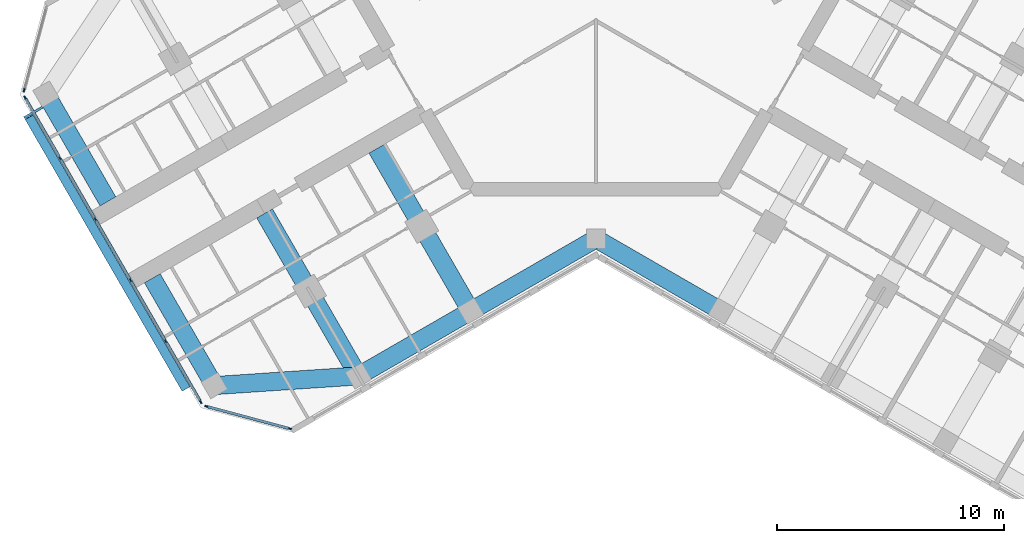
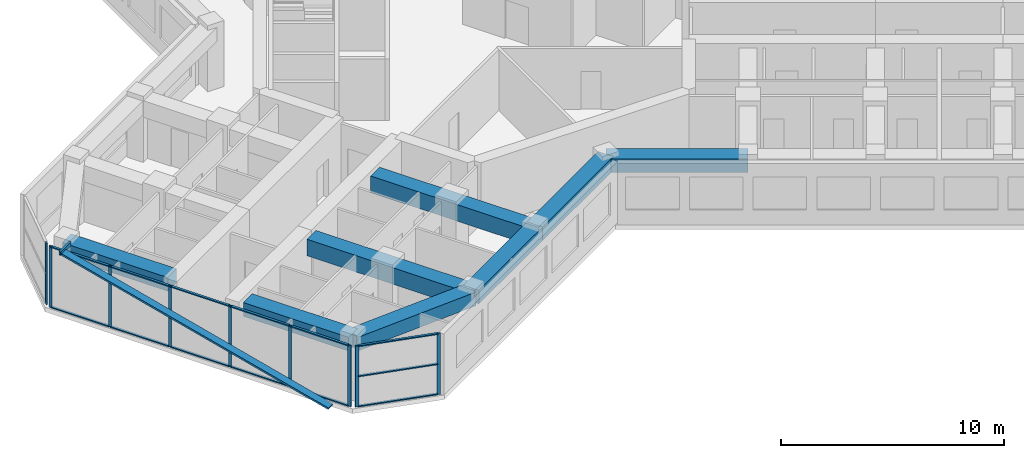
# One storey, part 2 of 16: 24 members, 8 beams, 3 elements without a shape of their own.
"""IFC4 building model written with IfcOpenShell, lengths in metres."""

from ifc_helpers import new_model, si_unit, direction, frame, origin, origin_2d, place, context, subcontext, project, spatial, rectangle, hollow_rectangle, extrude, material, material_profile, profile_set, type_object, element, aggregate, save


model = new_model("IFC4")

# Units and contexts
model_context = context("Model", 3, precision=1e-05, world=origin(), true_north=direction((0.0, 1.0)))
body_context = subcontext(model_context, "Body", "Model", "MODEL_VIEW")
ifc_project = project(units=[si_unit("LENGTHUNIT", "METRE"), si_unit("AREAUNIT", "SQUARE_METRE"), si_unit("VOLUMEUNIT", "CUBIC_METRE"), si_unit("PLANEANGLEUNIT", "RADIAN"), si_unit("MASSUNIT", "GRAM", prefix="KILO")], contexts=[model_context])

# Site, building, storey
site_placement = place(None, origin())
site = spatial("IfcSite", under=ifc_project, at=site_placement, CompositionType="ELEMENT")
building_placement = place(site_placement, origin())
building = spatial("IfcBuilding", under=site, at=building_placement, Name="Kosmar Iwan School Tower", CompositionType="ELEMENT")
storey_placement = place(building_placement, frame((0.0, 0.0, 235.199951171875)))
storey = spatial("IfcBuildingStorey", under=building, at=storey_placement, Name="L59", CompositionType="ELEMENT", Elevation=235.199951171875)

# Members
ifc_material_1 = material(Name="Black anodised aluminium", Category="aluminium")
ifc_material_profile_1 = material_profile(ifc_material_1, rectangle(XDim=0.10009765625, YDim=0.39990234375, at=origin_2d()), Name="FIN 100x400")
ifc_profile_set_1 = profile_set([ifc_material_profile_1], Name="Black anodised aluminium")
member_type_1 = type_object("IfcMemberType", Name="Diagonal fin 100x400", PredefinedType="USERDEFINED", material=ifc_profile_set_1)
member_1_placement = place(storey_placement, frame((-18.0283203125, -18.3740234375, -0.14990234375), z_axis=(-0.483802480126, 0.837968840024, 0.252474520243), x_axis=(0.126237445008, -0.218649241594, 0.967603543104)))
element("IfcMember", 1, at=member_1_placement, inside=storey, type_object=member_type_1, Name="Diagonal fin L59-F11", ObjectType="FIN", PredefinedType="USERDEFINED", context=body_context, shape_type="SweptSolid", body=[
    extrude(rectangle(XDim=0.10009765625, YDim=0.39990234375, at=origin_2d()), origin(), (0.0, 0.0, 1.0), 14.25830078125),
])
ifc_material_2 = material(Name="Steel S355", Category="steel")
ifc_material_profile_2 = material_profile(ifc_material_2, hollow_rectangle(XDim=0.10009765625, YDim=0.199951171875, WallThickness=0.008056640625, at=origin_2d()), Name="RHS 200x100x8")
ifc_profile_set_2 = profile_set([ifc_material_profile_2], Name="Steel S355")
member_type_2 = type_object("IfcMemberType", Name="Fin bracket RHS 200x100", PredefinedType="USERDEFINED", material=ifc_profile_set_2)
member_2_placement = place(storey_placement, frame((-24.337158203125, -5.9970703125, 3.47509765625), z_axis=(-0.866058118026, -0.49994333299, 0.0), x_axis=(0.49994333299, -0.866058118026, 0.0)))
element("IfcMember", 2, at=member_2_placement, inside=storey, type_object=member_type_2, Name="Fin bracket L60", ObjectType="FIN BRACKET", PredefinedType="USERDEFINED", context=body_context, shape_type="SweptSolid", body=[
    extrude(hollow_rectangle(XDim=0.10009765625, YDim=0.199951171875, WallThickness=0.008056640625, at=origin_2d()), origin(), (0.0, 0.0, 1.0), 0.9248046875),
])

# Curtain wall, member
ifc_material_3 = material(Name="Dark glass in black aluminium frame", Category="aluminium")
curtain_wall_type_1 = type_object("IfcCurtainWallType", Name="Chamfer curtain wall dark glass", PredefinedType="USERDEFINED", material=ifc_material_3)
curtain_wall_1_placement = place(storey_placement, origin())
curtain_wall_1 = element("IfcCurtainWall", 3, at=curtain_wall_1_placement, inside=storey, type_object=curtain_wall_type_1, Name="Curtain wall L59-F10", ObjectType="FACETED CURTAIN WALL", PredefinedType="USERDEFINED")
ifc_material_4 = material(Name="Black anodised aluminium", Category="aluminium")
ifc_material_profile_3 = material_profile(ifc_material_4, rectangle(XDim=0.06005859375, YDim=0.159912109375, at=origin_2d()), Name="MULLION 60x160")
ifc_profile_set_3 = profile_set([ifc_material_profile_3], Name="Black anodised aluminium")
member_type_3 = type_object("IfcMemberType", Name="Mullion 60x160", PredefinedType="MULLION", material=ifc_profile_set_3)
member_3_placement = place(storey_placement, frame((-25.141845703125, -5.24853515625, 0.0), z_axis=(0.0, 0.0, 1.0), x_axis=(0.965925875495, -0.258818861462, 0.0)))
member_3 = element("IfcMember", 4, at=member_3_placement, type_object=member_type_3, Name="CW2 mullion 2", PredefinedType="MULLION", context=body_context, shape_type="SweptSolid", body=[
    extrude(rectangle(XDim=0.06005859375, YDim=0.159912109375, at=origin_2d()), origin(), (0.0, 0.0, 1.0), 3.35009765625),
])
aggregate(curtain_wall_1, [member_3])

# Curtain wall, members
ifc_material_5 = material(Name="Dark glass in black aluminium frame", Category="aluminium")
curtain_wall_type_2 = type_object("IfcCurtainWallType", Name="Tower curtain wall dark glass", PredefinedType="USERDEFINED", material=ifc_material_5)
curtain_wall_2_placement = place(storey_placement, origin())
curtain_wall_2 = element("IfcCurtainWall", 5, at=curtain_wall_2_placement, inside=storey, type_object=curtain_wall_type_2, Name="Curtain wall L59-F11", ObjectType="UNITISED CURTAIN WALL", PredefinedType="USERDEFINED")
member_4_placement = place(storey_placement, frame((-25.098388671875, -5.578369140625, 0.0), z_axis=(0.0, 0.0, 1.0), x_axis=(0.866025405329, 0.499999997325, 0.0)))
member_4 = element("IfcMember", 6, at=member_4_placement, type_object=member_type_3, Name="CW1 mullion 1", PredefinedType="MULLION", context=body_context, shape_type="SweptSolid", body=[
    extrude(rectangle(XDim=0.06005859375, YDim=0.159912109375, at=origin_2d()), origin(), (0.0, 0.0, 1.0), 3.35009765625),
])
member_5_placement = place(storey_placement, frame((-23.563720703125, -8.236328125, 0.0), z_axis=(0.0, 0.0, 1.0), x_axis=(0.866025405329, 0.499999997325, 0.0)))
member_5 = element("IfcMember", 7, at=member_5_placement, type_object=member_type_3, Name="CW1 mullion 2", PredefinedType="MULLION", context=body_context, shape_type="SweptSolid", body=[
    extrude(rectangle(XDim=0.06005859375, YDim=0.159912109375, at=origin_2d()), origin(), (0.0, 0.0, 1.0), 3.35009765625),
])
member_6_placement = place(storey_placement, frame((-22.01416015625, -10.92041015625, 0.0), z_axis=(0.0, 0.0, 1.0), x_axis=(0.866025405329, 0.499999997325, 0.0)))
member_6 = element("IfcMember", 8, at=member_6_placement, type_object=member_type_3, Name="CW1 mullion 3", PredefinedType="MULLION", context=body_context, shape_type="SweptSolid", body=[
    extrude(rectangle(XDim=0.06005859375, YDim=0.159912109375, at=origin_2d()), origin(), (0.0, 0.0, 1.0), 3.35009765625),
])
member_7_placement = place(storey_placement, frame((-20.46435546875, -13.6044921875, 0.0), z_axis=(0.0, 0.0, 1.0), x_axis=(0.866025405329, 0.499999997325, 0.0)))
member_7 = element("IfcMember", 9, at=member_7_placement, type_object=member_type_3, Name="CW1 mullion 4", PredefinedType="MULLION", context=body_context, shape_type="SweptSolid", body=[
    extrude(rectangle(XDim=0.06005859375, YDim=0.159912109375, at=origin_2d()), origin(), (0.0, 0.0, 1.0), 3.35009765625),
])
member_8_placement = place(storey_placement, frame((-18.914794921875, -16.28857421875, 0.0), z_axis=(0.0, 0.0, 1.0), x_axis=(0.866025405329, 0.499999997325, 0.0)))
member_8 = element("IfcMember", 10, at=member_8_placement, type_object=member_type_3, Name="CW1 mullion 5", PredefinedType="MULLION", context=body_context, shape_type="SweptSolid", body=[
    extrude(rectangle(XDim=0.06005859375, YDim=0.159912109375, at=origin_2d()), origin(), (0.0, 0.0, 1.0), 3.35009765625),
])
member_9_placement = place(storey_placement, frame((-17.380126953125, -18.94677734375, 0.0), z_axis=(0.0, 0.0, 1.0), x_axis=(0.866025405329, 0.499999997325, 0.0)))
member_9 = element("IfcMember", 11, at=member_9_placement, type_object=member_type_3, Name="CW1 mullion 6", PredefinedType="MULLION", context=body_context, shape_type="SweptSolid", body=[
    extrude(rectangle(XDim=0.06005859375, YDim=0.159912109375, at=origin_2d()), origin(), (0.0, 0.0, 1.0), 3.35009765625),
])

curtain_wall_3_placement = place(storey_placement, origin())
curtain_wall_3 = element("IfcCurtainWall", 12, at=curtain_wall_3_placement, inside=storey, type_object=curtain_wall_type_1, Name="Curtain wall L59-F12", ObjectType="FACETED CURTAIN WALL", PredefinedType="USERDEFINED")
member_10_placement = place(storey_placement, frame((-17.1162109375, -19.149169921875, 0.0), z_axis=(0.0, 0.0, 1.0), x_axis=(0.258818861462, 0.965925875495, 0.0)))
member_10 = element("IfcMember", 13, at=member_10_placement, type_object=member_type_3, Name="CW2 mullion 1", PredefinedType="MULLION", context=body_context, shape_type="SweptSolid", body=[
    extrude(rectangle(XDim=0.06005859375, YDim=0.159912109375, at=origin_2d()), origin(), (0.0, 0.0, 1.0), 3.35009765625),
])
member_11_placement = place(storey_placement, frame((-13.466064453125, -20.127197265625, 0.0), z_axis=(0.0, 0.0, 1.0), x_axis=(0.258818861462, 0.965925875495, 0.0)))
member_11 = element("IfcMember", 14, at=member_11_placement, type_object=member_type_3, Name="CW2 mullion 2", PredefinedType="MULLION", context=body_context, shape_type="SweptSolid", body=[
    extrude(rectangle(XDim=0.06005859375, YDim=0.159912109375, at=origin_2d()), origin(), (0.0, 0.0, 1.0), 3.35009765625),
])

# Beams
ifc_material_6 = material(Name="Concrete C50/60", Category="concrete")
ifc_material_profile_4 = material_profile(ifc_material_6, rectangle(XDim=0.800048828125, YDim=0.75, at=origin_2d()), Name="RC 800x750")
ifc_profile_set_4 = profile_set([ifc_material_profile_4], Name="Concrete C50/60")
beam_type_1 = type_object("IfcBeamType", Name="RC edge beam 800x750", PredefinedType="BEAM", material=ifc_profile_set_4)
beam_1_placement = place(storey_placement, frame((0.0, -11.77783203125, 2.97509765625), z_axis=(-0.866014293216, -0.500019243575, 0.0), x_axis=(0.500019243575, -0.866014293216, 0.0)))
element("IfcBeam", 15, at=beam_1_placement, inside=storey, type_object=beam_type_1, Name="Edge beam BL1", PredefinedType="BEAM", context=body_context, shape_type="SweptSolid", body=[
    extrude(rectangle(XDim=0.800048828125, YDim=0.75, at=origin_2d()), origin(), (0.0, 0.0, 1.0), 6.361083984375),
])
beam_2_placement = place(storey_placement, frame((-5.5087890625, -14.95849609375, 2.97509765625), z_axis=(-0.866033658841, -0.49998570155, 0.0), x_axis=(0.49998570155, -0.866033658841, 0.0)))
element("IfcBeam", 16, at=beam_2_placement, inside=storey, type_object=beam_type_1, Name="Edge beam BL2", PredefinedType="BEAM", context=body_context, shape_type="SweptSolid", body=[
    extrude(rectangle(XDim=0.800048828125, YDim=0.75, at=origin_2d()), origin(), (0.0, 0.0, 1.0), 5.699951171875),
])
beam_3_placement = place(storey_placement, frame((0.0, -11.77783203125, 2.97509765625), z_axis=(0.866014293216, -0.500019243575, 0.0), x_axis=(0.500019243575, 0.866014293216, 0.0)))
element("IfcBeam", 17, at=beam_3_placement, inside=storey, type_object=beam_type_1, Name="Edge beam CR1", PredefinedType="BEAM", context=body_context, shape_type="SweptSolid", body=[
    extrude(rectangle(XDim=0.800048828125, YDim=0.75, at=origin_2d()), origin(), (0.0, 0.0, 1.0), 6.361083984375),
])
ifc_material_7 = material(Name="Concrete C50/60", Category="concrete")
ifc_material_profile_5 = material_profile(ifc_material_7, rectangle(XDim=0.800048828125, YDim=0.75, at=origin_2d()), Name="RC 800x750")
ifc_profile_set_5 = profile_set([ifc_material_profile_5], Name="Concrete C50/60")
beam_type_2 = type_object("IfcBeamType", Name="RC tip beam 800x750", PredefinedType="BEAM", material=ifc_profile_set_5)
beam_4_placement = place(storey_placement, frame((-10.445068359375, -17.808349609375, 2.97509765625), z_axis=(-0.997755118724, -0.066968074933, 0.0), x_axis=(0.066968074933, -0.997755118724, 0.0)))
element("IfcBeam", 18, at=beam_4_placement, inside=storey, type_object=beam_type_2, Name="Tip beam BL", PredefinedType="BEAM", context=body_context, shape_type="SweptSolid", body=[
    extrude(rectangle(XDim=0.800048828125, YDim=0.75, at=origin_2d()), origin(), (0.0, 0.0, 1.0), 6.3505859375),
])
beam_5_placement = place(storey_placement, frame((-16.781494140625, -18.233642578125, 2.97509765625), z_axis=(-0.500002931134, 0.866023711487, 0.0), x_axis=(-0.866023711487, -0.500002931134, 0.0)))
element("IfcBeam", 19, at=beam_5_placement, inside=storey, type_object=beam_type_2, Name="Tip beam BL to corridor wall", PredefinedType="BEAM", context=body_context, shape_type="SweptSolid", body=[
    extrude(rectangle(XDim=0.800048828125, YDim=0.75, at=origin_2d()), origin(), (0.0, 0.0, 1.0), 5.4501953125),
])
beam_6_placement = place(storey_placement, frame((-24.181396484375, -5.41650390625, 2.97509765625), z_axis=(0.499988730927, -0.866031909889, 0.0), x_axis=(0.866031909889, 0.499988730927, 0.0)))
element("IfcBeam", 20, at=beam_6_placement, inside=storey, type_object=beam_type_2, Name="Tip beam BR to corridor wall", PredefinedType="BEAM", context=body_context, shape_type="SweptSolid", body=[
    extrude(rectangle(XDim=0.800048828125, YDim=0.75, at=origin_2d()), origin(), (0.0, 0.0, 1.0), 5.449951171875),
])
ifc_material_8 = material(Name="Concrete C50/60", Category="concrete")
ifc_material_profile_6 = material_profile(ifc_material_8, rectangle(XDim=0.800048828125, YDim=0.89990234375, at=origin_2d()), Name="RC 800x900")
ifc_profile_set_6 = profile_set([ifc_material_profile_6], Name="Concrete C50/60")
beam_type_3 = type_object("IfcBeamType", Name="RC transverse beam 800x900", PredefinedType="BEAM", material=ifc_profile_set_6)
beam_7_placement = place(storey_placement, frame((-5.5087890625, -14.95849609375, 2.900146484375), z_axis=(-0.499996545922, 0.866027397988, 0.0), x_axis=(-0.866027397988, -0.499996545922, 0.0)))
element("IfcBeam", 21, at=beam_7_placement, inside=storey, type_object=beam_type_3, Name="Transverse beam BL1", PredefinedType="BEAM", context=body_context, shape_type="SweptSolid", body=[
    extrude(rectangle(XDim=0.800048828125, YDim=0.89990234375, at=origin_2d()), origin(), (0.0, 0.0, 1.0), 8.25),
])
beam_8_placement = place(storey_placement, frame((-10.445068359375, -17.808349609375, 2.900146484375), z_axis=(-0.500009360108, 0.866019999656, 0.0), x_axis=(-0.866019999656, -0.500009360108, 0.0)))
element("IfcBeam", 22, at=beam_8_placement, inside=storey, type_object=beam_type_3, Name="Transverse beam BL2", PredefinedType="BEAM", context=body_context, shape_type="SweptSolid", body=[
    extrude(rectangle(XDim=0.800048828125, YDim=0.89990234375, at=origin_2d()), origin(), (0.0, 0.0, 1.0), 8.249755859375),
])

# Member
ifc_material_9 = material(Name="Black anodised aluminium", Category="aluminium")
ifc_material_profile_7 = material_profile(ifc_material_9, rectangle(XDim=0.1201171875, YDim=0.06005859375, at=origin_2d()), Name="TRANSOM 60x120")
ifc_profile_set_7 = profile_set([ifc_material_profile_7], Name="Black anodised aluminium")
member_type_4 = type_object("IfcMemberType", Name="Transom 60x120", PredefinedType="USERDEFINED", material=ifc_profile_set_7)
member_12_placement = place(storey_placement, frame((-25.08349609375, -5.604248046875, 0.030029296875), z_axis=(0.499986971506, -0.866032925658, 0.0), x_axis=(0.866032925658, 0.499986971506, 0.0)))
member_12 = element("IfcMember", 23, at=member_12_placement, type_object=member_type_4, Name="CW1 transom 1.1", ObjectType="TRANSOM", PredefinedType="USERDEFINED", context=body_context, shape_type="SweptSolid", body=[
    extrude(rectangle(XDim=0.1201171875, YDim=0.06005859375, at=origin_2d()), origin(), (0.0, 0.0, 1.0), 3.00927734375),
])

member_13_placement = place(storey_placement, frame((-25.08349609375, -5.604248046875, 3.320068359375), z_axis=(0.499986971506, -0.866032925658, 0.0), x_axis=(0.866032925658, 0.499986971506, 0.0)))
member_13 = element("IfcMember", 24, at=member_13_placement, type_object=member_type_4, Name="CW1 transom 1.2", ObjectType="TRANSOM", PredefinedType="USERDEFINED", context=body_context, shape_type="SweptSolid", body=[
    extrude(rectangle(XDim=0.1201171875, YDim=0.06005859375, at=origin_2d()), origin(), (0.0, 0.0, 1.0), 3.00927734375),
])

member_14_placement = place(storey_placement, frame((-23.548828125, -8.262451171875, 0.030029296875), z_axis=(0.500035348339, -0.866004994449, 0.0), x_axis=(0.866004994449, 0.500035348339, 0.0)))
member_14 = element("IfcMember", 25, at=member_14_placement, type_object=member_type_4, Name="CW1 transom 2.1", ObjectType="TRANSOM", PredefinedType="USERDEFINED", context=body_context, shape_type="SweptSolid", body=[
    extrude(rectangle(XDim=0.1201171875, YDim=0.06005859375, at=origin_2d()), origin(), (0.0, 0.0, 1.0), 3.039306640625),
])

member_15_placement = place(storey_placement, frame((-23.548828125, -8.262451171875, 3.320068359375), z_axis=(0.500035348339, -0.866004994449, 0.0), x_axis=(0.866004994449, 0.500035348339, 0.0)))
member_15 = element("IfcMember", 26, at=member_15_placement, type_object=member_type_4, Name="CW1 transom 2.2", ObjectType="TRANSOM", PredefinedType="USERDEFINED", context=body_context, shape_type="SweptSolid", body=[
    extrude(rectangle(XDim=0.1201171875, YDim=0.06005859375, at=origin_2d()), origin(), (0.0, 0.0, 1.0), 3.039306640625),
])

member_16_placement = place(storey_placement, frame((-21.9990234375, -10.946533203125, 0.030029296875), z_axis=(0.499975102327, -0.866039777986, 0.0), x_axis=(0.866039777986, 0.499975102327, 0.0)))
member_16 = element("IfcMember", 27, at=member_16_placement, type_object=member_type_4, Name="CW1 transom 3.1", ObjectType="TRANSOM", PredefinedType="USERDEFINED", context=body_context, shape_type="SweptSolid", body=[
    extrude(rectangle(XDim=0.1201171875, YDim=0.06005859375, at=origin_2d()), origin(), (0.0, 0.0, 1.0), 3.039306640625),
])

member_17_placement = place(storey_placement, frame((-21.9990234375, -10.946533203125, 3.320068359375), z_axis=(0.499975102327, -0.866039777986, 0.0), x_axis=(0.866039777986, 0.499975102327, 0.0)))
member_17 = element("IfcMember", 28, at=member_17_placement, type_object=member_type_4, Name="CW1 transom 3.2", ObjectType="TRANSOM", PredefinedType="USERDEFINED", context=body_context, shape_type="SweptSolid", body=[
    extrude(rectangle(XDim=0.1201171875, YDim=0.06005859375, at=origin_2d()), origin(), (0.0, 0.0, 1.0), 3.039306640625),
])

member_18_placement = place(storey_placement, frame((-20.449462890625, -13.630615234375, 0.030029296875), z_axis=(0.500035348339, -0.866004994449, 0.0), x_axis=(0.866004994449, 0.500035348339, 0.0)))
member_18 = element("IfcMember", 29, at=member_18_placement, type_object=member_type_4, Name="CW1 transom 4.1", ObjectType="TRANSOM", PredefinedType="USERDEFINED", context=body_context, shape_type="SweptSolid", body=[
    extrude(rectangle(XDim=0.1201171875, YDim=0.06005859375, at=origin_2d()), origin(), (0.0, 0.0, 1.0), 3.039306640625),
])

member_19_placement = place(storey_placement, frame((-20.449462890625, -13.630615234375, 3.320068359375), z_axis=(0.500035348339, -0.866004994449, 0.0), x_axis=(0.866004994449, 0.500035348339, 0.0)))
member_19 = element("IfcMember", 30, at=member_19_placement, type_object=member_type_4, Name="CW1 transom 4.2", ObjectType="TRANSOM", PredefinedType="USERDEFINED", context=body_context, shape_type="SweptSolid", body=[
    extrude(rectangle(XDim=0.1201171875, YDim=0.06005859375, at=origin_2d()), origin(), (0.0, 0.0, 1.0), 3.039306640625),
])

member_20_placement = place(storey_placement, frame((-18.89990234375, -16.314697265625, 0.030029296875), z_axis=(0.500022102064, -0.866012642776, 0.0), x_axis=(0.866012642776, 0.500022102064, 0.0)))
member_20 = element("IfcMember", 31, at=member_20_placement, type_object=member_type_4, Name="CW1 transom 5.1", ObjectType="TRANSOM", PredefinedType="USERDEFINED", context=body_context, shape_type="SweptSolid", body=[
    extrude(rectangle(XDim=0.1201171875, YDim=0.06005859375, at=origin_2d()), origin(), (0.0, 0.0, 1.0), 3.009033203125),
])

member_21_placement = place(storey_placement, frame((-18.89990234375, -16.314697265625, 3.320068359375), z_axis=(0.500022102064, -0.866012642776, 0.0), x_axis=(0.866012642776, 0.500022102064, 0.0)))
member_21 = element("IfcMember", 32, at=member_21_placement, type_object=member_type_4, Name="CW1 transom 5.2", ObjectType="TRANSOM", PredefinedType="USERDEFINED", context=body_context, shape_type="SweptSolid", body=[
    extrude(rectangle(XDim=0.1201171875, YDim=0.06005859375, at=origin_2d()), origin(), (0.0, 0.0, 1.0), 3.009033203125),
])

aggregate(curtain_wall_2, [member_4, member_5, member_6, member_7, member_8, member_9, member_12, member_13, member_14, member_15, member_16, member_17, member_18, member_19, member_20, member_21])

member_22_placement = place(storey_placement, frame((-17.08740234375, -19.156982421875, 0.030029296875), z_axis=(0.965940141052, -0.258765615768, 0.0), x_axis=(0.258765615768, 0.965940141052, 0.0)))
member_22 = element("IfcMember", 33, at=member_22_placement, type_object=member_type_4, Name="CW2 transom 1.1", ObjectType="TRANSOM", PredefinedType="USERDEFINED", context=body_context, shape_type="SweptSolid", body=[
    extrude(rectangle(XDim=0.1201171875, YDim=0.06005859375, at=origin_2d()), origin(), (0.0, 0.0, 1.0), 3.71923828125),
])

member_23_placement = place(storey_placement, frame((-17.08740234375, -19.156982421875, 1.675048828125), z_axis=(0.965940141052, -0.258765615768, 0.0), x_axis=(0.258765615768, 0.965940141052, 0.0)))
member_23 = element("IfcMember", 34, at=member_23_placement, type_object=member_type_4, Name="CW2 transom 1.2", ObjectType="TRANSOM", PredefinedType="USERDEFINED", context=body_context, shape_type="SweptSolid", body=[
    extrude(rectangle(XDim=0.1201171875, YDim=0.06005859375, at=origin_2d()), origin(), (0.0, 0.0, 1.0), 3.71923828125),
])

member_24_placement = place(storey_placement, frame((-17.08740234375, -19.156982421875, 3.320068359375), z_axis=(0.965940141052, -0.258765615768, 0.0), x_axis=(0.258765615768, 0.965940141052, 0.0)))
member_24 = element("IfcMember", 35, at=member_24_placement, type_object=member_type_4, Name="CW2 transom 1.3", ObjectType="TRANSOM", PredefinedType="USERDEFINED", context=body_context, shape_type="SweptSolid", body=[
    extrude(rectangle(XDim=0.1201171875, YDim=0.06005859375, at=origin_2d()), origin(), (0.0, 0.0, 1.0), 3.71923828125),
])

aggregate(curtain_wall_3, [member_10, member_11, member_22, member_23, member_24])

save(model, "model.ifc")
